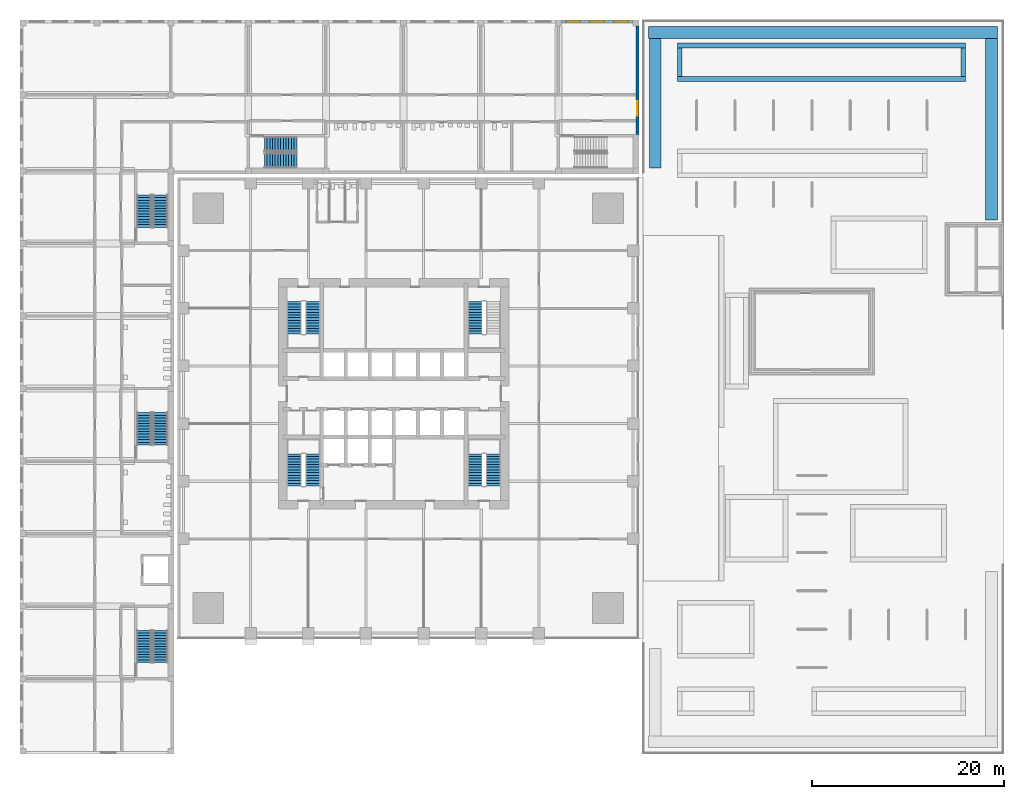
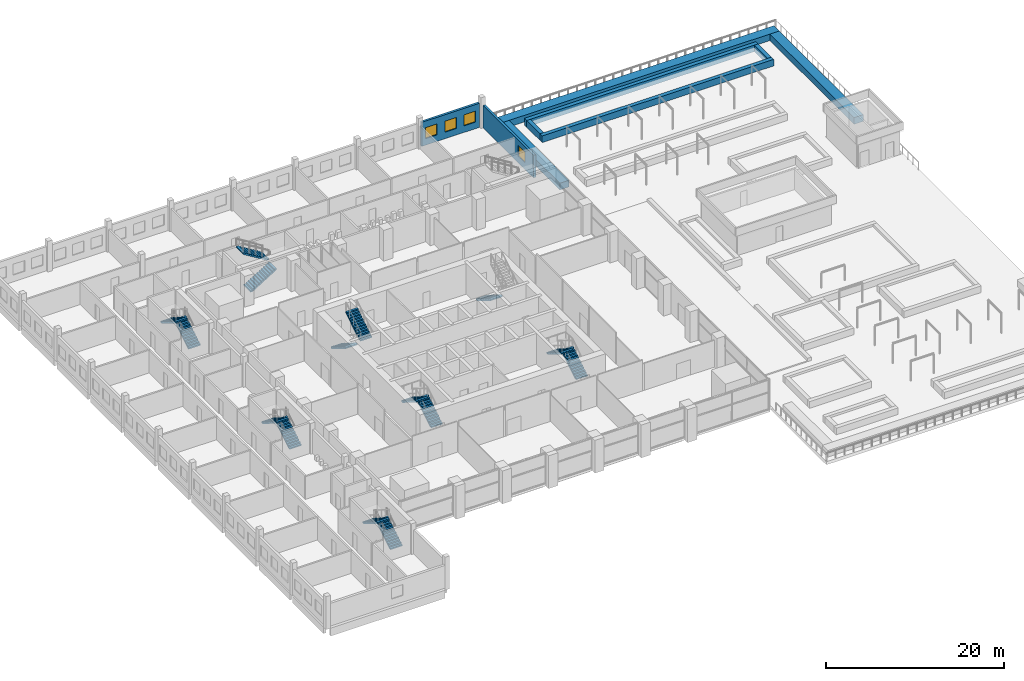
# One storey, part 27 of 34: 15 stair flights, 9 walls, 4 windows, 4 openings, 8 elements without a shape of their own.
"""IFC4 building model written with IfcOpenShell, lengths in metres."""

from ifc_helpers import new_model, si_unit, direction, frame, frame_2d, origin, place, context, subcontext, project, spatial, polyline, rectangle, outline, extrude, material, layer, layer_set, type_object, element, fill, aggregate, save


model = new_model("IFC4")

# Units and contexts
model_context = context("Model", 3, precision=1e-05, world=origin(), true_north=direction((0.0, 1.0)))
body_context = subcontext(model_context, "Body", "Model", "MODEL_VIEW")
ifc_project = project(units=[si_unit("LENGTHUNIT", "METRE"), si_unit("AREAUNIT", "SQUARE_METRE"), si_unit("VOLUMEUNIT", "CUBIC_METRE"), si_unit("PLANEANGLEUNIT", "RADIAN"), si_unit("MASSUNIT", "GRAM", prefix="KILO")], contexts=[model_context])

# Site, building, storey
site_placement = place(None, origin())
site = spatial("IfcSite", under=ifc_project, at=site_placement, CompositionType="ELEMENT")
building_placement = place(site_placement, origin())
building = spatial("IfcBuilding", under=site, at=building_placement, Name="Amberfall Residences", CompositionType="ELEMENT")
storey_placement = place(building_placement, frame((0.0, 0.0, 5.5)))
storey = spatial("IfcBuildingStorey", under=building, at=storey_placement, Name="L01", CompositionType="ELEMENT", Elevation=5.5)

# Walls
ifc_material_1 = material(Name="Precast concrete C40 with stone facing", Category="masonry")
ifc_layer_1 = layer(ifc_material_1, 1.199951171875)
ifc_layer_set_1 = layer_set([ifc_layer_1], Name="Planter edge wall 1200")
wall_type_1 = type_object("IfcWallType", Name="Planter edge wall 1200", PredefinedType="SOLIDWALL", material=ifc_layer_set_1)
wall_1_placement = place(storey_placement, frame((101.0, 83.10009765625, 0.0), z_axis=(0.0, 0.0, 1.0), x_axis=(1.0, 0.0, 0.0)))
element("IfcWall", 1, at=wall_1_placement, inside=storey, type_object=wall_type_1, Name="Planted edge N", PredefinedType="SOLIDWALL", context=body_context, shape_type="SweptSolid", body=[
    extrude(rectangle(XDim=36.300048828125, YDim=1.199951171875, at=frame_2d((18.14990234375, 0.0))), origin(), (0.0, 0.0, 1.0), 0.89990234375),
])
wall_2_placement = place(storey_placement, frame((101.699951171875, 69.0, 0.0), z_axis=(0.0, 0.0, 1.0), x_axis=(0.0, 1.0, 0.0)))
element("IfcWall", 2, at=wall_2_placement, inside=storey, type_object=wall_type_1, Name="Planted edge W2", PredefinedType="SOLIDWALL", context=body_context, shape_type="SweptSolid", body=[
    extrude(rectangle(XDim=13.5, YDim=1.199951171875, at=frame_2d((6.75, 0.0))), origin(), (0.0, 0.0, 1.0), 0.89990234375),
])
wall_3_placement = place(storey_placement, frame((136.699951171875, 63.60009765625, 0.0), z_axis=(0.0, 0.0, 1.0), x_axis=(0.0, 1.0, 0.0)))
element("IfcWall", 3, at=wall_3_placement, inside=storey, type_object=wall_type_1, Name="Planted edge E2", PredefinedType="SOLIDWALL", context=body_context, shape_type="SweptSolid", body=[
    extrude(rectangle(XDim=18.89990234375, YDim=1.199951171875, at=frame_2d((9.449951171875, 0.0))), origin(), (0.0, 0.0, 1.0), 0.89990234375),
])
ifc_layer_2 = layer(ifc_material_1, 0.5)
ifc_layer_set_2 = layer_set([ifc_layer_2], Name="Planter rim wall 500")
wall_type_2 = type_object("IfcWallType", Name="Planter rim wall 500", PredefinedType="SOLIDWALL", material=ifc_layer_set_2)
for number, where, z_axis, x_axis, name in (
    (4, (104.0, 78.25, 0.0), (0.0, 0.0, 1.0), (1.0, 0.0, 0.0), "Planter 8 S wall"),
    (5, (104.0, 81.75, 0.0), (0.0, 0.0, 1.0), (1.0, 0.0, 0.0), "Planter 8 N wall"),
):
    element("IfcWall", number, at=place(storey_placement, frame(where, z_axis=z_axis, x_axis=x_axis)), inside=storey, type_object=wall_type_2, Name=name, PredefinedType="SOLIDWALL", context=body_context, shape_type="SweptSolid", body=[
        extrude(rectangle(XDim=30.0, YDim=0.5, at=frame_2d((15.0, 0.0))), origin(), (0.0, 0.0, 1.0), 0.89990234375),
    ])
for number, where, z_axis, x_axis, name in (
    (6, (104.25, 78.5, 0.0), (0.0, 0.0, 1.0), (0.0, 1.0, 0.0), "Planter 8 W wall"),
    (7, (133.75, 78.5, 0.0), (0.0, 0.0, 1.0), (0.0, 1.0, 0.0), "Planter 8 E wall"),
):
    element("IfcWall", number, at=place(storey_placement, frame(where, z_axis=z_axis, x_axis=x_axis)), inside=storey, type_object=wall_type_2, Name=name, PredefinedType="SOLIDWALL", context=body_context, shape_type="SweptSolid", body=[
        extrude(rectangle(XDim=3.0, YDim=0.5, at=frame_2d((1.5, 0.0))), origin(), (0.0, 0.0, 1.0), 0.89990234375),
    ])

# Wall, openings, windows
ifc_material_2 = material(Name="Aerated block wall")
ifc_layer_3 = layer(ifc_material_2, 0.300048828125)
ifc_layer_set_3 = layer_set([ifc_layer_3], Name="School external wall 300")
wall_type_3 = type_object("IfcWallType", Name="School external wall 300", PredefinedType="SOLIDWALL", material=ifc_layer_set_3)
wall_4_placement = place(storey_placement, frame((91.93310546875, 84.25, 0.0), z_axis=(0.0, 0.0, 1.0), x_axis=(1.0, 0.0, 0.0)))
wall_4 = element("IfcWall", 8, at=wall_4_placement, inside=storey, type_object=wall_type_3, Name="School external wall L01 EN7", PredefinedType="SOLIDWALL", context=body_context, shape_type="SweptSolid", body=[
    extrude(rectangle(XDim=7.466796875, YDim=0.300048828125, at=frame_2d((3.7333984375, 0.0))), origin(), (0.0, 0.0, 1.0), 3.300048828125),
])
opening_1_placement = place(wall_4_placement, frame((0.494384765625, 0.0, 0.89990234375)))
opening_1 = element("IfcOpeningElement", 9, at=opening_1_placement, cuts=wall_4, Name="Opening SWN1", PredefinedType="OPENING", context=body_context, shape_type="SweptSolid", body=[
    extrude(rectangle(XDim=1.5, YDim=1.5, at=frame_2d((0.75, 0.75))), frame((0.0, 0.159912109375, 0.0), z_axis=(0.0, -1.0, 0.0), x_axis=(1.0, 0.0, 0.0)), (0.0, 0.0, 1.0), 0.320068359375),
])
opening_2_placement = place(wall_4_placement, frame((2.9833984375, 0.0, 0.89990234375)))
opening_2 = element("IfcOpeningElement", 10, at=opening_2_placement, cuts=wall_4, Name="Opening SWN1", PredefinedType="OPENING", context=body_context, shape_type="SweptSolid", body=[
    extrude(rectangle(XDim=1.5, YDim=1.5, at=frame_2d((0.75, 0.75))), frame((0.0, 0.159912109375, 0.0), z_axis=(0.0, -1.0, 0.0), x_axis=(1.0, 0.0, 0.0)), (0.0, 0.0, 1.0), 0.320068359375),
])
opening_3_placement = place(wall_4_placement, frame((5.472412109375, 0.0, 0.89990234375)))
opening_3 = element("IfcOpeningElement", 11, at=opening_3_placement, cuts=wall_4, Name="Opening SWN1", PredefinedType="OPENING", context=body_context, shape_type="SweptSolid", body=[
    extrude(rectangle(XDim=1.5, YDim=1.5, at=frame_2d((0.75, 0.75))), frame((0.0, 0.159912109375, 0.0), z_axis=(0.0, -1.0, 0.0), x_axis=(1.0, 0.0, 0.0)), (0.0, 0.0, 1.0), 0.320068359375),
])
ifc_material_3 = material(Name="Aluminium window", Category="aluminium")
window_type = type_object("IfcWindowType", Name="School window 1500 x 1500", PartitioningType="DOUBLE_PANEL_HORIZONTAL", PredefinedType="WINDOW", material=ifc_material_3)
window_1_placement = place(opening_1_placement, origin())
window_1 = element("IfcWindow", 12, at=window_1_placement, inside=storey, type_object=window_type, Name="School window L01 EN7-1", OverallHeight=1.5, OverallWidth=1.5, PartitioningType="DOUBLE_PANEL_HORIZONTAL", PredefinedType="WINDOW", context=body_context, shape_type="SweptSolid", body=[
    extrude(rectangle(XDim=1.5, YDim=1.5, at=frame_2d((0.75, 0.75))), frame((0.0, 0.030029296875, 0.0), z_axis=(0.0, -1.0, 0.0), x_axis=(1.0, 0.0, 0.0)), (0.0, 0.0, 1.0), 0.06005859375),
])
fill(opening_1, window_1)
window_2_placement = place(opening_2_placement, origin())
window_2 = element("IfcWindow", 13, at=window_2_placement, inside=storey, type_object=window_type, Name="School window L01 EN7-2", OverallHeight=1.5, OverallWidth=1.5, PartitioningType="DOUBLE_PANEL_HORIZONTAL", PredefinedType="WINDOW", context=body_context, shape_type="SweptSolid", body=[
    extrude(rectangle(XDim=1.5, YDim=1.5, at=frame_2d((0.75, 0.75))), frame((0.0, 0.030029296875, 0.0), z_axis=(0.0, -1.0, 0.0), x_axis=(1.0, 0.0, 0.0)), (0.0, 0.0, 1.0), 0.06005859375),
])
fill(opening_2, window_2)
window_3_placement = place(opening_3_placement, origin())
window_3 = element("IfcWindow", 14, at=window_3_placement, inside=storey, type_object=window_type, Name="School window L01 EN7-3", OverallHeight=1.5, OverallWidth=1.5, PartitioningType="DOUBLE_PANEL_HORIZONTAL", PredefinedType="WINDOW", context=body_context, shape_type="SweptSolid", body=[
    extrude(rectangle(XDim=1.5, YDim=1.5, at=frame_2d((0.75, 0.75))), frame((0.0, 0.030029296875, 0.0), z_axis=(0.0, -1.0, 0.0), x_axis=(1.0, 0.0, 0.0)), (0.0, 0.0, 1.0), 0.06005859375),
])
fill(opening_3, window_3)

# Wall, opening, window
wall_5_placement = place(storey_placement, frame((99.85009765625, 72.5, 0.0), z_axis=(0.0, 0.0, 1.0), x_axis=(0.0, 1.0, 0.0)))
wall_5 = element("IfcWall", 15, at=wall_5_placement, inside=storey, type_object=wall_type_3, Name="School external wall L01 EE", PredefinedType="SOLIDWALL", context=body_context, shape_type="SweptSolid", body=[
    extrude(rectangle(XDim=11.300048828125, YDim=0.300048828125, at=frame_2d((5.64990234375, 0.0))), origin(), (0.0, 0.0, 1.0), 3.10009765625),
])
opening_4_placement = place(wall_5_placement, frame((1.949951171875, 0.0, 0.89990234375)))
opening_4 = element("IfcOpeningElement", 16, at=opening_4_placement, cuts=wall_5, Name="Opening SWN1", PredefinedType="OPENING", context=body_context, shape_type="SweptSolid", body=[
    extrude(rectangle(XDim=1.5, YDim=1.5, at=frame_2d((0.75, 0.75))), frame((0.0, 0.159912109375, 0.0), z_axis=(0.0, -1.0, 0.0), x_axis=(1.0, 0.0, 0.0)), (0.0, 0.0, 1.0), 0.320068359375),
])
window_4_placement = place(opening_4_placement, origin())
window_4 = element("IfcWindow", 17, at=window_4_placement, inside=storey, type_object=window_type, Name="School window L01 EE-1", OverallHeight=1.5, OverallWidth=1.5, PartitioningType="DOUBLE_PANEL_HORIZONTAL", PredefinedType="WINDOW", context=body_context, shape_type="SweptSolid", body=[
    extrude(rectangle(XDim=1.5, YDim=1.5, at=frame_2d((0.75, 0.75))), frame((0.0, 0.030029296875, 0.0), z_axis=(0.0, -1.0, 0.0), x_axis=(1.0, 0.0, 0.0)), (0.0, 0.0, 1.0), 0.06005859375),
])
fill(opening_4, window_4)

# Stair, stair flights
ifc_material_4 = material(Name="Concrete C40", Category="concrete")
stair_type_1 = type_object("IfcStairType", Name="School stair", PredefinedType="HALF_TURN_STAIR", material=ifc_material_4)
stair_1_placement = place(storey_placement, origin())
stair_1 = element("IfcStair", 18, at=stair_1_placement, inside=storey, type_object=stair_type_1, Name="L01 Stair SS1", PredefinedType="HALF_TURN_STAIR")
stair_flight_type_1 = type_object("IfcStairFlightType", Name="School stair flight", PredefinedType="STRAIGHT", material=ifc_material_4)
stair_flight_1_placement = place(storey_placement, frame((50.22509765625, 17.52490234375, 0.0), z_axis=(0.0, 0.0, 1.0), x_axis=(0.0, 1.0, 0.0)))
stair_flight_1 = element("IfcStairFlight", 19, at=stair_flight_1_placement, type_object=stair_flight_type_1, Name="SS1 flight 1", NumberOfRisers=13, NumberOfTreads=12, PredefinedType="STRAIGHT", RiserHeight=0.173076923, TreadLength=0.28, context=body_context, shape_type="SweptSolid", body=[
    extrude(outline(polyline([(0.0, 0.0), (0.0, 0.173095703125), (0.280029296875, 0.173095703125), (0.280029296875, 0.34619140625), (0.56005859375, 0.34619140625), (0.56005859375, 0.519287109375), (0.840087890625, 0.519287109375), (0.840087890625, 0.6923828125), (1.1201171875, 0.6923828125), (1.1201171875, 0.865478515625), (1.39990234375, 0.865478515625), (1.39990234375, 1.03857421875), (1.679931640625, 1.03857421875), (1.679931640625, 1.21142578125), (1.9599609375, 1.21142578125), (1.9599609375, 1.384521484375), (2.239990234375, 1.384521484375), (2.239990234375, 1.5576171875), (2.52001953125, 1.5576171875), (2.52001953125, 1.730712890625), (2.800048828125, 1.730712890625), (2.800048828125, 1.90380859375), (3.080078125, 1.90380859375), (3.080078125, 2.076904296875), (3.360107421875, 2.076904296875), (3.360107421875, 2.25), (3.360107421875, 1.900634765625), (0.28515625, 0.0), (0.0, 0.0)])), frame((0.0, 0.77490234375, 0.0), z_axis=(0.0, -1.0, 0.0), x_axis=(1.0, 0.0, 0.0)), (0.0, 0.0, 1.0), 1.550048828125),
])
stair_flight_2_placement = place(storey_placement, frame((48.52490234375, 20.885009765625, 2.25), z_axis=(0.0, 0.0, 1.0), x_axis=(0.0, -1.0, 0.0)))
stair_flight_2 = element("IfcStairFlight", 20, at=stair_flight_2_placement, type_object=stair_flight_type_1, Name="SS1 flight 2", NumberOfRisers=13, NumberOfTreads=12, PredefinedType="STRAIGHT", RiserHeight=0.173076923, TreadLength=0.28, context=body_context, shape_type="SweptSolid", body=[
    extrude(outline(polyline([(0.0, 0.0), (0.0, 0.173095703125), (0.280029296875, 0.173095703125), (0.280029296875, 0.34619140625), (0.56005859375, 0.34619140625), (0.56005859375, 0.519287109375), (0.840087890625, 0.519287109375), (0.840087890625, 0.6923828125), (1.1201171875, 0.6923828125), (1.1201171875, 0.865478515625), (1.39990234375, 0.865478515625), (1.39990234375, 1.03857421875), (1.679931640625, 1.03857421875), (1.679931640625, 1.21142578125), (1.9599609375, 1.21142578125), (1.9599609375, 1.384521484375), (2.239990234375, 1.384521484375), (2.239990234375, 1.5576171875), (2.52001953125, 1.5576171875), (2.52001953125, 1.730712890625), (2.800048828125, 1.730712890625), (2.800048828125, 1.90380859375), (3.080078125, 1.90380859375), (3.080078125, 2.076904296875), (3.360107421875, 2.076904296875), (3.360107421875, 2.25), (3.360107421875, 1.900634765625), (0.28515625, 0.0), (0.0, 0.0)])), frame((0.0, 0.77490234375, 0.0), z_axis=(0.0, -1.0, 0.0), x_axis=(1.0, 0.0, 0.0)), (0.0, 0.0, 1.0), 1.550048828125),
])
aggregate(stair_1, [stair_flight_1, stair_flight_2])

stair_2_placement = place(storey_placement, origin())
stair_2 = element("IfcStair", 21, at=stair_2_placement, inside=storey, type_object=stair_type_1, Name="L01 Stair SS2", PredefinedType="HALF_TURN_STAIR")
stair_flight_3_placement = place(storey_placement, frame((50.22509765625, 40.175048828125, 0.0), z_axis=(0.0, 0.0, 1.0), x_axis=(0.0, 1.0, 0.0)))
stair_flight_3 = element("IfcStairFlight", 22, at=stair_flight_3_placement, type_object=stair_flight_type_1, Name="SS2 flight 1", NumberOfRisers=13, NumberOfTreads=12, PredefinedType="STRAIGHT", RiserHeight=0.173076923, TreadLength=0.28, context=body_context, shape_type="SweptSolid", body=[
    extrude(outline(polyline([(0.0, 0.0), (0.0, 0.173095703125), (0.280029296875, 0.173095703125), (0.280029296875, 0.34619140625), (0.56005859375, 0.34619140625), (0.56005859375, 0.519287109375), (0.840087890625, 0.519287109375), (0.840087890625, 0.6923828125), (1.1201171875, 0.6923828125), (1.1201171875, 0.865478515625), (1.39990234375, 0.865478515625), (1.39990234375, 1.03857421875), (1.679931640625, 1.03857421875), (1.679931640625, 1.21142578125), (1.9599609375, 1.21142578125), (1.9599609375, 1.384521484375), (2.239990234375, 1.384521484375), (2.239990234375, 1.5576171875), (2.52001953125, 1.5576171875), (2.52001953125, 1.730712890625), (2.800048828125, 1.730712890625), (2.800048828125, 1.90380859375), (3.080078125, 1.90380859375), (3.080078125, 2.076904296875), (3.360107421875, 2.076904296875), (3.360107421875, 2.25), (3.360107421875, 1.900634765625), (0.28515625, 0.0), (0.0, 0.0)])), frame((0.0, 0.77490234375, 0.0), z_axis=(0.0, -1.0, 0.0), x_axis=(1.0, 0.0, 0.0)), (0.0, 0.0, 1.0), 1.550048828125),
])
stair_flight_4_placement = place(storey_placement, frame((48.52490234375, 43.534912109375, 2.25), z_axis=(0.0, 0.0, 1.0), x_axis=(0.0, -1.0, 0.0)))
stair_flight_4 = element("IfcStairFlight", 23, at=stair_flight_4_placement, type_object=stair_flight_type_1, Name="SS2 flight 2", NumberOfRisers=13, NumberOfTreads=12, PredefinedType="STRAIGHT", RiserHeight=0.173076923, TreadLength=0.28, context=body_context, shape_type="SweptSolid", body=[
    extrude(outline(polyline([(0.0, 0.0), (0.0, 0.173095703125), (0.280029296875, 0.173095703125), (0.280029296875, 0.34619140625), (0.56005859375, 0.34619140625), (0.56005859375, 0.519287109375), (0.840087890625, 0.519287109375), (0.840087890625, 0.6923828125), (1.1201171875, 0.6923828125), (1.1201171875, 0.865478515625), (1.39990234375, 0.865478515625), (1.39990234375, 1.03857421875), (1.679931640625, 1.03857421875), (1.679931640625, 1.21142578125), (1.9599609375, 1.21142578125), (1.9599609375, 1.384521484375), (2.239990234375, 1.384521484375), (2.239990234375, 1.5576171875), (2.52001953125, 1.5576171875), (2.52001953125, 1.730712890625), (2.800048828125, 1.730712890625), (2.800048828125, 1.90380859375), (3.080078125, 1.90380859375), (3.080078125, 2.076904296875), (3.360107421875, 2.076904296875), (3.360107421875, 2.25), (3.360107421875, 1.900634765625), (0.28515625, 0.0), (0.0, 0.0)])), frame((0.0, 0.77490234375, 0.0), z_axis=(0.0, -1.0, 0.0), x_axis=(1.0, 0.0, 0.0)), (0.0, 0.0, 1.0), 1.550048828125),
])
aggregate(stair_2, [stair_flight_3, stair_flight_4])

stair_3_placement = place(storey_placement, origin())
stair_3 = element("IfcStair", 24, at=stair_3_placement, inside=storey, type_object=stair_type_1, Name="L01 Stair SS3", PredefinedType="HALF_TURN_STAIR")
stair_flight_5_placement = place(storey_placement, frame((50.22509765625, 62.824951171875, 0.0), z_axis=(0.0, 0.0, 1.0), x_axis=(0.0, 1.0, 0.0)))
stair_flight_5 = element("IfcStairFlight", 25, at=stair_flight_5_placement, type_object=stair_flight_type_1, Name="SS3 flight 1", NumberOfRisers=13, NumberOfTreads=12, PredefinedType="STRAIGHT", RiserHeight=0.173076923, TreadLength=0.28, context=body_context, shape_type="SweptSolid", body=[
    extrude(outline(polyline([(0.0, 0.0), (0.0, 0.173095703125), (0.280029296875, 0.173095703125), (0.280029296875, 0.34619140625), (0.56005859375, 0.34619140625), (0.56005859375, 0.519287109375), (0.840087890625, 0.519287109375), (0.840087890625, 0.6923828125), (1.1201171875, 0.6923828125), (1.1201171875, 0.865478515625), (1.39990234375, 0.865478515625), (1.39990234375, 1.03857421875), (1.679931640625, 1.03857421875), (1.679931640625, 1.21142578125), (1.9599609375, 1.21142578125), (1.9599609375, 1.384521484375), (2.239990234375, 1.384521484375), (2.239990234375, 1.5576171875), (2.52001953125, 1.5576171875), (2.52001953125, 1.730712890625), (2.800048828125, 1.730712890625), (2.800048828125, 1.90380859375), (3.080078125, 1.90380859375), (3.080078125, 2.076904296875), (3.360107421875, 2.076904296875), (3.360107421875, 2.25), (3.360107421875, 1.900634765625), (0.28515625, 0.0), (0.0, 0.0)])), frame((0.0, 0.77490234375, 0.0), z_axis=(0.0, -1.0, 0.0), x_axis=(1.0, 0.0, 0.0)), (0.0, 0.0, 1.0), 1.550048828125),
])
stair_flight_6_placement = place(storey_placement, frame((48.52490234375, 66.18505859375, 2.25), z_axis=(0.0, 0.0, 1.0), x_axis=(0.0, -1.0, 0.0)))
stair_flight_6 = element("IfcStairFlight", 26, at=stair_flight_6_placement, type_object=stair_flight_type_1, Name="SS3 flight 2", NumberOfRisers=13, NumberOfTreads=12, PredefinedType="STRAIGHT", RiserHeight=0.173076923, TreadLength=0.28, context=body_context, shape_type="SweptSolid", body=[
    extrude(outline(polyline([(0.0, 0.0), (0.0, 0.173095703125), (0.280029296875, 0.173095703125), (0.280029296875, 0.34619140625), (0.56005859375, 0.34619140625), (0.56005859375, 0.519287109375), (0.840087890625, 0.519287109375), (0.840087890625, 0.6923828125), (1.1201171875, 0.6923828125), (1.1201171875, 0.865478515625), (1.39990234375, 0.865478515625), (1.39990234375, 1.03857421875), (1.679931640625, 1.03857421875), (1.679931640625, 1.21142578125), (1.9599609375, 1.21142578125), (1.9599609375, 1.384521484375), (2.239990234375, 1.384521484375), (2.239990234375, 1.5576171875), (2.52001953125, 1.5576171875), (2.52001953125, 1.730712890625), (2.800048828125, 1.730712890625), (2.800048828125, 1.90380859375), (3.080078125, 1.90380859375), (3.080078125, 2.076904296875), (3.360107421875, 2.076904296875), (3.360107421875, 2.25), (3.360107421875, 1.900634765625), (0.28515625, 0.0), (0.0, 0.0)])), frame((0.0, 0.77490234375, 0.0), z_axis=(0.0, -1.0, 0.0), x_axis=(1.0, 0.0, 0.0)), (0.0, 0.0, 1.0), 1.550048828125),
])
aggregate(stair_3, [stair_flight_5, stair_flight_6])

stair_4_placement = place(storey_placement, origin())
stair_4 = element("IfcStair", 27, at=stair_4_placement, inside=storey, type_object=stair_type_1, Name="L01 Stair SS4", PredefinedType="HALF_TURN_STAIR")
stair_flight_7_placement = place(storey_placement, frame((61.0419921875, 69.77490234375, 0.0), z_axis=(0.0, 0.0, 1.0), x_axis=(1.0, 0.0, 0.0)))
stair_flight_7 = element("IfcStairFlight", 28, at=stair_flight_7_placement, type_object=stair_flight_type_1, Name="SS4 flight 1", NumberOfRisers=13, NumberOfTreads=12, PredefinedType="STRAIGHT", RiserHeight=0.173076923, TreadLength=0.28, context=body_context, shape_type="SweptSolid", body=[
    extrude(outline(polyline([(0.0, 0.0), (0.0, 0.173095703125), (0.280029296875, 0.173095703125), (0.280029296875, 0.34619140625), (0.56005859375, 0.34619140625), (0.56005859375, 0.519287109375), (0.840087890625, 0.519287109375), (0.840087890625, 0.6923828125), (1.1201171875, 0.6923828125), (1.1201171875, 0.865478515625), (1.39990234375, 0.865478515625), (1.39990234375, 1.03857421875), (1.679931640625, 1.03857421875), (1.679931640625, 1.21142578125), (1.9599609375, 1.21142578125), (1.9599609375, 1.384521484375), (2.239990234375, 1.384521484375), (2.239990234375, 1.5576171875), (2.52001953125, 1.5576171875), (2.52001953125, 1.730712890625), (2.800048828125, 1.730712890625), (2.800048828125, 1.90380859375), (3.080078125, 1.90380859375), (3.080078125, 2.076904296875), (3.360107421875, 2.076904296875), (3.360107421875, 2.25), (3.360107421875, 1.900634765625), (0.28515625, 0.0), (0.0, 0.0)])), frame((0.0, 0.77490234375, 0.0), z_axis=(0.0, -1.0, 0.0), x_axis=(1.0, 0.0, 0.0)), (0.0, 0.0, 1.0), 1.550048828125),
])
stair_flight_8_placement = place(storey_placement, frame((64.402099609375, 71.47509765625, 2.25), z_axis=(0.0, 0.0, 1.0), x_axis=(-1.0, 0.0, 0.0)))
stair_flight_8 = element("IfcStairFlight", 29, at=stair_flight_8_placement, type_object=stair_flight_type_1, Name="SS4 flight 2", NumberOfRisers=13, NumberOfTreads=12, PredefinedType="STRAIGHT", RiserHeight=0.173076923, TreadLength=0.28, context=body_context, shape_type="SweptSolid", body=[
    extrude(outline(polyline([(0.0, 0.0), (0.0, 0.173095703125), (0.280029296875, 0.173095703125), (0.280029296875, 0.34619140625), (0.56005859375, 0.34619140625), (0.56005859375, 0.519287109375), (0.840087890625, 0.519287109375), (0.840087890625, 0.6923828125), (1.1201171875, 0.6923828125), (1.1201171875, 0.865478515625), (1.39990234375, 0.865478515625), (1.39990234375, 1.03857421875), (1.679931640625, 1.03857421875), (1.679931640625, 1.21142578125), (1.9599609375, 1.21142578125), (1.9599609375, 1.384521484375), (2.239990234375, 1.384521484375), (2.239990234375, 1.5576171875), (2.52001953125, 1.5576171875), (2.52001953125, 1.730712890625), (2.800048828125, 1.730712890625), (2.800048828125, 1.90380859375), (3.080078125, 1.90380859375), (3.080078125, 2.076904296875), (3.360107421875, 2.076904296875), (3.360107421875, 2.25), (3.360107421875, 1.900634765625), (0.28515625, 0.0), (0.0, 0.0)])), frame((0.0, 0.77490234375, 0.0), z_axis=(0.0, -1.0, 0.0), x_axis=(1.0, 0.0, 0.0)), (0.0, 0.0, 1.0), 1.550048828125),
])
aggregate(stair_4, [stair_flight_7, stair_flight_8])

stair_type_2 = type_object("IfcStairType", Name="Exit stair 26 risers 173.1 mm", PredefinedType="HALF_TURN_STAIR", material=ifc_material_4)
stair_5_placement = place(storey_placement, origin())
stair_5 = element("IfcStair", 30, at=stair_5_placement, inside=storey, type_object=stair_type_2, Name="L01 Exit stair 1", PredefinedType="HALF_TURN_STAIR")
stair_flight_type_2 = type_object("IfcStairFlightType", Name="Stair flight 13 risers 173.1 mm", PredefinedType="STRAIGHT", material=ifc_material_4)
stair_flight_9_placement = place(storey_placement, frame((66.050048828125, 35.89990234375, 0.0), z_axis=(0.0, 0.0, 1.0), x_axis=(0.0, 1.0, 0.0)))
stair_flight_9 = element("IfcStairFlight", 31, at=stair_flight_9_placement, type_object=stair_flight_type_2, Name="ST2 flight 1", NumberOfRisers=13, NumberOfTreads=12, PredefinedType="STRAIGHT", RiserHeight=0.173076923, TreadLength=0.28, context=body_context, shape_type="SweptSolid", body=[
    extrude(outline(polyline([(0.0, 0.0), (0.0, 0.173095703125), (0.280029296875, 0.173095703125), (0.280029296875, 0.34619140625), (0.56005859375, 0.34619140625), (0.56005859375, 0.519287109375), (0.840087890625, 0.519287109375), (0.840087890625, 0.6923828125), (1.1201171875, 0.6923828125), (1.1201171875, 0.865478515625), (1.39990234375, 0.865478515625), (1.39990234375, 1.03857421875), (1.679931640625, 1.03857421875), (1.679931640625, 1.21142578125), (1.9599609375, 1.21142578125), (1.9599609375, 1.384521484375), (2.239990234375, 1.384521484375), (2.239990234375, 1.5576171875), (2.52001953125, 1.5576171875), (2.52001953125, 1.730712890625), (2.800048828125, 1.730712890625), (2.800048828125, 1.90380859375), (3.080078125, 1.90380859375), (3.080078125, 2.076904296875), (3.360107421875, 2.076904296875), (3.360107421875, 2.25), (3.360107421875, 1.900634765625), (0.28515625, 0.0), (0.0, 0.0)])), frame((0.0, 0.75, 0.0), z_axis=(0.0, -1.0, 0.0), x_axis=(1.0, 0.0, 0.0)), (0.0, 0.0, 1.0), 1.5),
])
stair_flight_10_placement = place(storey_placement, frame((64.14990234375, 39.260009765625, 2.25), z_axis=(0.0, 0.0, 1.0), x_axis=(0.0, -1.0, 0.0)))
stair_flight_10 = element("IfcStairFlight", 32, at=stair_flight_10_placement, type_object=stair_flight_type_2, Name="ST2 flight 2", NumberOfRisers=13, NumberOfTreads=12, PredefinedType="STRAIGHT", RiserHeight=0.173076923, TreadLength=0.28, context=body_context, shape_type="SweptSolid", body=[
    extrude(outline(polyline([(0.0, 0.0), (0.0, 0.173095703125), (0.280029296875, 0.173095703125), (0.280029296875, 0.34619140625), (0.56005859375, 0.34619140625), (0.56005859375, 0.519287109375), (0.840087890625, 0.519287109375), (0.840087890625, 0.6923828125), (1.1201171875, 0.6923828125), (1.1201171875, 0.865478515625), (1.39990234375, 0.865478515625), (1.39990234375, 1.03857421875), (1.679931640625, 1.03857421875), (1.679931640625, 1.21142578125), (1.9599609375, 1.21142578125), (1.9599609375, 1.384521484375), (2.239990234375, 1.384521484375), (2.239990234375, 1.5576171875), (2.52001953125, 1.5576171875), (2.52001953125, 1.730712890625), (2.800048828125, 1.730712890625), (2.800048828125, 1.90380859375), (3.080078125, 1.90380859375), (3.080078125, 2.076904296875), (3.360107421875, 2.076904296875), (3.360107421875, 2.25), (3.360107421875, 1.900634765625), (0.28515625, 0.0), (0.0, 0.0)])), frame((0.0, 0.75, 0.0), z_axis=(0.0, -1.0, 0.0), x_axis=(1.0, 0.0, 0.0)), (0.0, 0.0, 1.0), 1.5),
])
aggregate(stair_5, [stair_flight_9, stair_flight_10])

stair_6_placement = place(storey_placement, origin())
stair_6 = element("IfcStair", 33, at=stair_6_placement, inside=storey, type_object=stair_type_2, Name="L01 Exit stair 2", PredefinedType="HALF_TURN_STAIR")
stair_flight_11_placement = place(storey_placement, frame((84.85009765625, 35.89990234375, 0.0), z_axis=(0.0, 0.0, 1.0), x_axis=(0.0, 1.0, 0.0)))
stair_flight_11 = element("IfcStairFlight", 34, at=stair_flight_11_placement, type_object=stair_flight_type_2, Name="ST2 flight 1", NumberOfRisers=13, NumberOfTreads=12, PredefinedType="STRAIGHT", RiserHeight=0.173076923, TreadLength=0.28, context=body_context, shape_type="SweptSolid", body=[
    extrude(outline(polyline([(0.0, 0.0), (0.0, 0.173095703125), (0.280029296875, 0.173095703125), (0.280029296875, 0.34619140625), (0.56005859375, 0.34619140625), (0.56005859375, 0.519287109375), (0.840087890625, 0.519287109375), (0.840087890625, 0.6923828125), (1.1201171875, 0.6923828125), (1.1201171875, 0.865478515625), (1.39990234375, 0.865478515625), (1.39990234375, 1.03857421875), (1.679931640625, 1.03857421875), (1.679931640625, 1.21142578125), (1.9599609375, 1.21142578125), (1.9599609375, 1.384521484375), (2.239990234375, 1.384521484375), (2.239990234375, 1.5576171875), (2.52001953125, 1.5576171875), (2.52001953125, 1.730712890625), (2.800048828125, 1.730712890625), (2.800048828125, 1.90380859375), (3.080078125, 1.90380859375), (3.080078125, 2.076904296875), (3.360107421875, 2.076904296875), (3.360107421875, 2.25), (3.360107421875, 1.900634765625), (0.28515625, 0.0), (0.0, 0.0)])), frame((0.0, 0.75, 0.0), z_axis=(0.0, -1.0, 0.0), x_axis=(1.0, 0.0, 0.0)), (0.0, 0.0, 1.0), 1.5),
])
stair_flight_12_placement = place(storey_placement, frame((82.949951171875, 39.260009765625, 2.25), z_axis=(0.0, 0.0, 1.0), x_axis=(0.0, -1.0, 0.0)))
stair_flight_12 = element("IfcStairFlight", 35, at=stair_flight_12_placement, type_object=stair_flight_type_2, Name="ST2 flight 2", NumberOfRisers=13, NumberOfTreads=12, PredefinedType="STRAIGHT", RiserHeight=0.173076923, TreadLength=0.28, context=body_context, shape_type="SweptSolid", body=[
    extrude(outline(polyline([(0.0, 0.0), (0.0, 0.173095703125), (0.280029296875, 0.173095703125), (0.280029296875, 0.34619140625), (0.56005859375, 0.34619140625), (0.56005859375, 0.519287109375), (0.840087890625, 0.519287109375), (0.840087890625, 0.6923828125), (1.1201171875, 0.6923828125), (1.1201171875, 0.865478515625), (1.39990234375, 0.865478515625), (1.39990234375, 1.03857421875), (1.679931640625, 1.03857421875), (1.679931640625, 1.21142578125), (1.9599609375, 1.21142578125), (1.9599609375, 1.384521484375), (2.239990234375, 1.384521484375), (2.239990234375, 1.5576171875), (2.52001953125, 1.5576171875), (2.52001953125, 1.730712890625), (2.800048828125, 1.730712890625), (2.800048828125, 1.90380859375), (3.080078125, 1.90380859375), (3.080078125, 2.076904296875), (3.360107421875, 2.076904296875), (3.360107421875, 2.25), (3.360107421875, 1.900634765625), (0.28515625, 0.0), (0.0, 0.0)])), frame((0.0, 0.75, 0.0), z_axis=(0.0, -1.0, 0.0), x_axis=(1.0, 0.0, 0.0)), (0.0, 0.0, 1.0), 1.5),
])
aggregate(stair_6, [stair_flight_11, stair_flight_12])

# Stair, stair flight
stair_7_placement = place(storey_placement, origin())
stair_7 = element("IfcStair", 36, at=stair_7_placement, inside=storey, type_object=stair_type_2, Name="L01 Exit stair 3", PredefinedType="HALF_TURN_STAIR")
stair_flight_13_placement = place(storey_placement, frame((82.949951171875, 55.10009765625, 0.0), z_axis=(0.0, 0.0, 1.0), x_axis=(0.0, -1.0, 0.0)))
stair_flight_13 = element("IfcStairFlight", 37, at=stair_flight_13_placement, type_object=stair_flight_type_2, Name="ST2 flight 1", NumberOfRisers=13, NumberOfTreads=12, PredefinedType="STRAIGHT", RiserHeight=0.173076923, TreadLength=0.28, context=body_context, shape_type="SweptSolid", body=[
    extrude(outline(polyline([(0.0, 0.0), (0.0, 0.173095703125), (0.280029296875, 0.173095703125), (0.280029296875, 0.34619140625), (0.56005859375, 0.34619140625), (0.56005859375, 0.519287109375), (0.840087890625, 0.519287109375), (0.840087890625, 0.6923828125), (1.1201171875, 0.6923828125), (1.1201171875, 0.865478515625), (1.39990234375, 0.865478515625), (1.39990234375, 1.03857421875), (1.679931640625, 1.03857421875), (1.679931640625, 1.21142578125), (1.9599609375, 1.21142578125), (1.9599609375, 1.384521484375), (2.239990234375, 1.384521484375), (2.239990234375, 1.5576171875), (2.52001953125, 1.5576171875), (2.52001953125, 1.730712890625), (2.800048828125, 1.730712890625), (2.800048828125, 1.90380859375), (3.080078125, 1.90380859375), (3.080078125, 2.076904296875), (3.360107421875, 2.076904296875), (3.360107421875, 2.25), (3.360107421875, 1.900634765625), (0.28515625, 0.0), (0.0, 0.0)])), frame((0.0, 0.75, 0.0), z_axis=(0.0, -1.0, 0.0), x_axis=(1.0, 0.0, 0.0)), (0.0, 0.0, 1.0), 1.5),
])
aggregate(stair_7, [stair_flight_13])

# Stair, stair flights
stair_8_placement = place(storey_placement, origin())
stair_8 = element("IfcStair", 38, at=stair_8_placement, inside=storey, type_object=stair_type_2, Name="L01 Exit stair 4", PredefinedType="HALF_TURN_STAIR")
stair_flight_14_placement = place(storey_placement, frame((64.14990234375, 55.10009765625, 0.0), z_axis=(0.0, 0.0, 1.0), x_axis=(0.0, -1.0, 0.0)))
stair_flight_14 = element("IfcStairFlight", 39, at=stair_flight_14_placement, type_object=stair_flight_type_2, Name="ST2 flight 1", NumberOfRisers=13, NumberOfTreads=12, PredefinedType="STRAIGHT", RiserHeight=0.173076923, TreadLength=0.28, context=body_context, shape_type="SweptSolid", body=[
    extrude(outline(polyline([(0.0, 0.0), (0.0, 0.173095703125), (0.280029296875, 0.173095703125), (0.280029296875, 0.34619140625), (0.56005859375, 0.34619140625), (0.56005859375, 0.519287109375), (0.840087890625, 0.519287109375), (0.840087890625, 0.6923828125), (1.1201171875, 0.6923828125), (1.1201171875, 0.865478515625), (1.39990234375, 0.865478515625), (1.39990234375, 1.03857421875), (1.679931640625, 1.03857421875), (1.679931640625, 1.21142578125), (1.9599609375, 1.21142578125), (1.9599609375, 1.384521484375), (2.239990234375, 1.384521484375), (2.239990234375, 1.5576171875), (2.52001953125, 1.5576171875), (2.52001953125, 1.730712890625), (2.800048828125, 1.730712890625), (2.800048828125, 1.90380859375), (3.080078125, 1.90380859375), (3.080078125, 2.076904296875), (3.360107421875, 2.076904296875), (3.360107421875, 2.25), (3.360107421875, 1.900634765625), (0.28515625, 0.0), (0.0, 0.0)])), frame((0.0, 0.75, 0.0), z_axis=(0.0, -1.0, 0.0), x_axis=(1.0, 0.0, 0.0)), (0.0, 0.0, 1.0), 1.5),
])
stair_flight_15_placement = place(storey_placement, frame((66.050048828125, 51.739990234375, 2.25), z_axis=(0.0, 0.0, 1.0), x_axis=(0.0, 1.0, 0.0)))
stair_flight_15 = element("IfcStairFlight", 40, at=stair_flight_15_placement, type_object=stair_flight_type_2, Name="ST2 flight 2", NumberOfRisers=13, NumberOfTreads=12, PredefinedType="STRAIGHT", RiserHeight=0.173076923, TreadLength=0.28, context=body_context, shape_type="SweptSolid", body=[
    extrude(outline(polyline([(0.0, 0.0), (0.0, 0.173095703125), (0.280029296875, 0.173095703125), (0.280029296875, 0.34619140625), (0.56005859375, 0.34619140625), (0.56005859375, 0.519287109375), (0.840087890625, 0.519287109375), (0.840087890625, 0.6923828125), (1.1201171875, 0.6923828125), (1.1201171875, 0.865478515625), (1.39990234375, 0.865478515625), (1.39990234375, 1.03857421875), (1.679931640625, 1.03857421875), (1.679931640625, 1.21142578125), (1.9599609375, 1.21142578125), (1.9599609375, 1.384521484375), (2.239990234375, 1.384521484375), (2.239990234375, 1.5576171875), (2.52001953125, 1.5576171875), (2.52001953125, 1.730712890625), (2.800048828125, 1.730712890625), (2.800048828125, 1.90380859375), (3.080078125, 1.90380859375), (3.080078125, 2.076904296875), (3.360107421875, 2.076904296875), (3.360107421875, 2.25), (3.360107421875, 1.900634765625), (0.28515625, 0.0), (0.0, 0.0)])), frame((0.0, 0.75, 0.0), z_axis=(0.0, -1.0, 0.0), x_axis=(1.0, 0.0, 0.0)), (0.0, 0.0, 1.0), 1.5),
])
aggregate(stair_8, [stair_flight_14, stair_flight_15])

save(model, "model.ifc")
